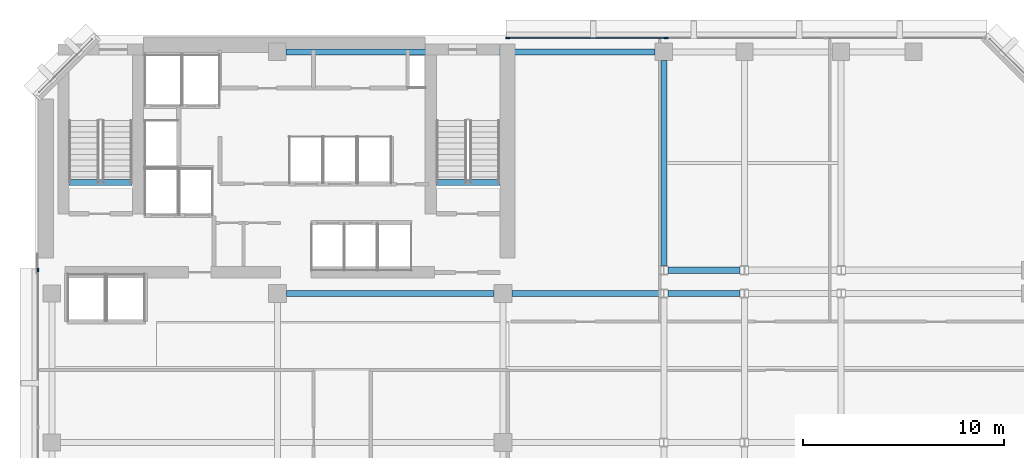
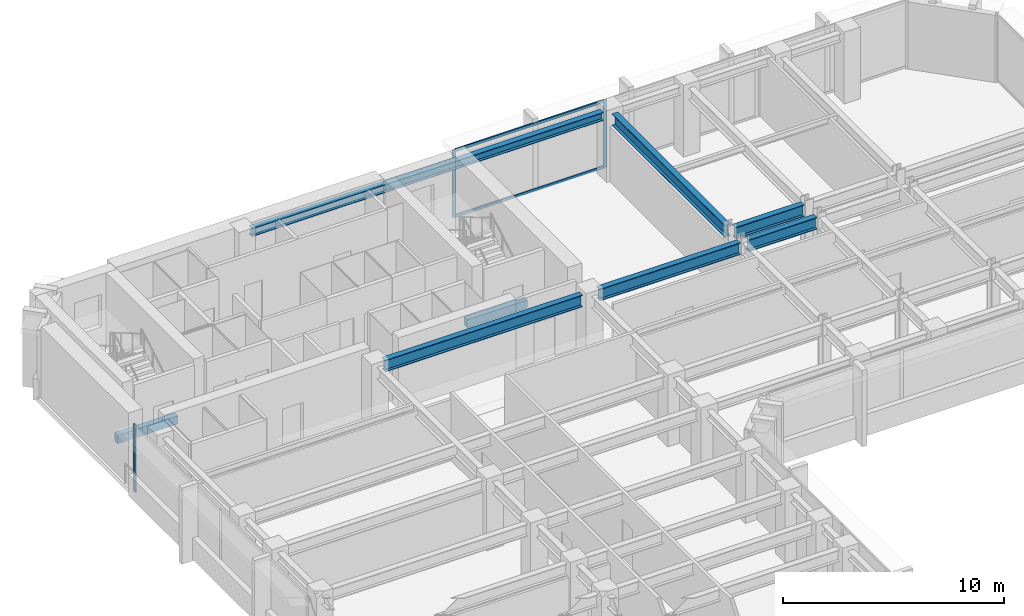
# One storey, part 4 of 11: 8 beams, 5 members, 2 elements without a shape of their own.
"""IFC4 building model written with IfcOpenShell, lengths in metres."""

from ifc_helpers import new_model, si_unit, direction, frame, origin, origin_2d, place, context, subcontext, project, spatial, rectangle, i_section, extrude, material, layer, layer_set, material_profile, profile_set, type_object, element, aggregate, save


model = new_model("IFC4")

# Units and contexts
model_context = context("Model", 3, precision=1e-05, world=origin(), true_north=direction((0.0, 1.0)))
body_context = subcontext(model_context, "Body", "Model", "MODEL_VIEW")
ifc_project = project(units=[si_unit("LENGTHUNIT", "METRE"), si_unit("AREAUNIT", "SQUARE_METRE"), si_unit("VOLUMEUNIT", "CUBIC_METRE"), si_unit("PLANEANGLEUNIT", "RADIAN"), si_unit("MASSUNIT", "GRAM", prefix="KILO")], contexts=[model_context])

# Site, building, storey
site_placement = place(None, origin())
site = spatial("IfcSite", under=ifc_project, at=site_placement, CompositionType="ELEMENT")
building_placement = place(site_placement, origin())
building = spatial("IfcBuilding", under=site, at=building_placement, Name="Kefirva Bronze Tower", CompositionType="ELEMENT")
storey_placement = place(building_placement, frame((0.0, 0.0, 162.68994140625)))
storey = spatial("IfcBuildingStorey", under=building, at=storey_placement, Name="L39", CompositionType="ELEMENT", Elevation=162.68994140625)

# Curtain wall, members
ifc_material_1 = material(Name="Bronze anodised aluminium", Category="aluminium")
ifc_layer = layer(ifc_material_1, 0.199951171875, Name="Bronze anodised aluminium")
ifc_layer_set = layer_set([ifc_layer], Name="Bronze anodised aluminium")
curtain_wall_type = type_object("IfcCurtainWallType", Name="Unitised Bronze Ribbon Curtain Wall Zone 2", PredefinedType="USERDEFINED", material=ifc_layer_set)
curtain_wall_1_placement = place(storey_placement, origin())
curtain_wall_1 = element("IfcCurtainWall", 1, at=curtain_wall_1_placement, inside=storey, type_object=curtain_wall_type, Name="L39 Curtain Wall 4", ObjectType="UNITISED CURTAIN WALL", PredefinedType="USERDEFINED")
ifc_material_profile_1 = material_profile(ifc_material_1, rectangle(XDim=0.074951171875, YDim=0.179931640625, at=origin_2d()), Name="ALU 75x180")
ifc_profile_set_1 = profile_set([ifc_material_profile_1], Name="Bronze anodised aluminium")
member_type_1 = type_object("IfcMemberType", Name="Bronze Mullion 75x180", PredefinedType="MULLION", material=ifc_profile_set_1)
member_1_placement = place(storey_placement, frame((31.318359375, 45.8798828125, 0.0), z_axis=(0.0, 0.0, 1.0), x_axis=(0.0, -1.0, 0.0)))
member_1 = element("IfcMember", 2, at=member_1_placement, type_object=member_type_1, Name="CW-02 mullion 3", PredefinedType="MULLION", context=body_context, shape_type="SweptSolid", body=[
    extrude(rectangle(XDim=0.074951171875, YDim=0.179931640625, at=origin_2d()), origin(), (0.0, 0.0, 1.0), 3.7099609375),
])
member_2_placement = place(storey_placement, frame((23.4423828125, 45.8798828125, 0.0), z_axis=(0.0, 0.0, 1.0), x_axis=(0.0, -1.0, 0.0)))
member_2 = element("IfcMember", 3, at=member_2_placement, type_object=member_type_1, Name="CW-02 mullion 4", PredefinedType="MULLION", context=body_context, shape_type="SweptSolid", body=[
    extrude(rectangle(XDim=0.074951171875, YDim=0.179931640625, at=origin_2d()), origin(), (0.0, 0.0, 1.0), 3.7099609375),
])

# Curtain wall, member
curtain_wall_2_placement = place(storey_placement, origin())
curtain_wall_2 = element("IfcCurtainWall", 4, at=curtain_wall_2_placement, inside=storey, type_object=curtain_wall_type, Name="L39 Curtain Wall 5", ObjectType="UNITISED CURTAIN WALL", PredefinedType="USERDEFINED")
member_3_placement = place(storey_placement, frame((0.1201171875, 34.357421875, 0.0), z_axis=(0.0, 0.0, 1.0), x_axis=(1.0, 0.0, 0.0)))
member_3 = element("IfcMember", 5, at=member_3_placement, type_object=member_type_1, Name="CW-02 mullion 1", PredefinedType="MULLION", context=body_context, shape_type="SweptSolid", body=[
    extrude(rectangle(XDim=0.074951171875, YDim=0.179931640625, at=origin_2d()), origin(), (0.0, 0.0, 1.0), 3.7099609375),
])
aggregate(curtain_wall_2, [member_3])

# Member
ifc_material_profile_2 = material_profile(ifc_material_1, rectangle(XDim=0.074951171875, YDim=0.14990234375, at=origin_2d()), Name="ALU 75x150")
ifc_profile_set_2 = profile_set([ifc_material_profile_2], Name="Bronze anodised aluminium")
member_type_2 = type_object("IfcMemberType", Name="Bronze Transom 75x150", PredefinedType="USERDEFINED", material=ifc_profile_set_2)
member_4_placement = place(storey_placement, frame((31.28076171875, 45.8798828125, 0.03759765625), z_axis=(-1.0, 0.0, 0.0), x_axis=(0.0, -1.0, 0.0)))
member_4 = element("IfcMember", 6, at=member_4_placement, type_object=member_type_2, Name="CW-02 transom 3.1", ObjectType="TRANSOM", PredefinedType="USERDEFINED", context=body_context, shape_type="SweptSolid", body=[
    extrude(rectangle(XDim=0.074951171875, YDim=0.14990234375, at=origin_2d()), origin(), (0.0, 0.0, 1.0), 7.80078125),
])

member_5_placement = place(storey_placement, frame((31.28076171875, 45.8798828125, 3.672607421875), z_axis=(-1.0, 0.0, 0.0), x_axis=(0.0, -1.0, 0.0)))
member_5 = element("IfcMember", 7, at=member_5_placement, type_object=member_type_2, Name="CW-02 transom 3.2", ObjectType="TRANSOM", PredefinedType="USERDEFINED", context=body_context, shape_type="SweptSolid", body=[
    extrude(rectangle(XDim=0.074951171875, YDim=0.14990234375, at=origin_2d()), origin(), (0.0, 0.0, 1.0), 7.80078125),
])

aggregate(curtain_wall_1, [member_1, member_2, member_4, member_5])

# Beams
ifc_material_2 = material(Name="Concrete C50/60", Category="concrete")
ifc_material_profile_3 = material_profile(ifc_material_2, rectangle(XDim=0.300048828125, YDim=0.449951171875, at=origin_2d()), Name="RC 300x450")
ifc_profile_set_3 = profile_set([ifc_material_profile_3], Name="Concrete C50/60")
beam_type_1 = type_object("IfcBeamType", Name="RC Stair Trimmer Beam 300x450", PredefinedType="BEAM", material=ifc_profile_set_3)
beam_1_placement = place(storey_placement, frame((1.64501953125, 38.699951171875, -0.224853515625), z_axis=(1.0, 0.0, 0.0), x_axis=(0.0, 1.0, 0.0)))
element("IfcBeam", 8, at=beam_1_placement, inside=storey, type_object=beam_type_1, Name="L39 Stair 1 Landing Trimmer Beam", PredefinedType="BEAM", context=body_context, shape_type="SweptSolid", body=[
    extrude(rectangle(XDim=0.300048828125, YDim=0.449951171875, at=origin_2d()), origin(), (0.0, 0.0, 1.0), 3.14990234375),
])
beam_2_placement = place(storey_placement, frame((19.89501953125, 38.699951171875, -0.224853515625), z_axis=(1.0, 0.0, 0.0), x_axis=(0.0, 1.0, 0.0)))
element("IfcBeam", 9, at=beam_2_placement, inside=storey, type_object=beam_type_1, Name="L39 Stair 2 Landing Trimmer Beam", PredefinedType="BEAM", context=body_context, shape_type="SweptSolid", body=[
    extrude(rectangle(XDim=0.300048828125, YDim=0.449951171875, at=origin_2d()), origin(), (0.0, 0.0, 1.0), 3.159912109375),
])
ifc_material_3 = material(Name="Steel S355", Category="steel")
ifc_material_profile_4 = material_profile(ifc_material_3, i_section(OverallWidth=0.300048828125, OverallDepth=0.64990234375, WebThickness=0.01611328125, FlangeThickness=0.031005859375, at=origin_2d()), Name="HEB 650")
ifc_profile_set_4 = profile_set([ifc_material_profile_4], Name="Steel S355")
beam_type_2 = type_object("IfcBeamType", Name="Steel Girder HEB 650", PredefinedType="USERDEFINED", material=ifc_profile_set_4)
beam_3_placement = place(storey_placement, frame((12.449951171875, 33.199951171875, 3.385009765625), z_axis=(1.0, 0.0, 0.0), x_axis=(0.0, 1.0, 0.0)))
element("IfcBeam", 10, at=beam_3_placement, inside=storey, type_object=beam_type_2, Name="L39 BM-L39-EW-12-332", ObjectType="GIRDER", PredefinedType="USERDEFINED", context=body_context, shape_type="SweptSolid", body=[
    extrude(i_section(OverallWidth=0.300048828125, OverallDepth=0.64990234375, WebThickness=0.01611328125, FlangeThickness=0.031005859375, at=origin_2d()), origin(), (0.0, 0.0, 1.0), 10.300048828125),
])
beam_4_placement = place(storey_placement, frame((23.64990234375, 33.199951171875, 3.385009765625), z_axis=(1.0, 0.0, 0.0), x_axis=(0.0, 1.0, 0.0)))
element("IfcBeam", 11, at=beam_4_placement, inside=storey, type_object=beam_type_2, Name="L39 BM-L39-EW-23-332", ObjectType="GIRDER", PredefinedType="USERDEFINED", context=body_context, shape_type="SweptSolid", body=[
    extrude(i_section(OverallWidth=0.300048828125, OverallDepth=0.64990234375, WebThickness=0.01611328125, FlangeThickness=0.031005859375, at=origin_2d()), origin(), (0.0, 0.0, 1.0), 7.341064453125),
])
for number, where, z_axis, x_axis, name in (
    (12, (31.408935546875, 33.199951171875, 3.385009765625), (1.0, 0.0, 0.0), (0.0, 1.0, 0.0), "L39 BM-L39-EW-31-332"),
    (13, (31.408935546875, 34.35009765625, 3.385009765625), (1.0, 0.0, 0.0), (0.0, 1.0, 0.0), "L39 BM-L39-EW-31-344"),
):
    element("IfcBeam", number, at=place(storey_placement, frame(where, z_axis=z_axis, x_axis=x_axis)), inside=storey, type_object=beam_type_2, Name=name, ObjectType="GIRDER", PredefinedType="USERDEFINED", context=body_context, shape_type="SweptSolid", body=[
        extrude(i_section(OverallWidth=0.300048828125, OverallDepth=0.64990234375, WebThickness=0.01611328125, FlangeThickness=0.031005859375, at=origin_2d()), origin(), (0.0, 0.0, 1.0), 3.58203125),
    ])
beam_5_placement = place(storey_placement, frame((31.199951171875, 34.577392578125, 3.385009765625), z_axis=(0.0, 1.0, 0.0), x_axis=(-1.0, 0.0, 0.0)))
element("IfcBeam", 14, at=beam_5_placement, inside=storey, type_object=beam_type_2, Name="L39 BM-L39-NS-312-34", ObjectType="GIRDER", PredefinedType="USERDEFINED", context=body_context, shape_type="SweptSolid", body=[
    extrude(i_section(OverallWidth=0.300048828125, OverallDepth=0.64990234375, WebThickness=0.01611328125, FlangeThickness=0.031005859375, at=origin_2d()), origin(), (0.0, 0.0, 1.0), 10.192626953125),
])
ifc_material_profile_5 = material_profile(ifc_material_3, i_section(OverallWidth=0.300048828125, OverallDepth=0.449951171875, WebThickness=0.013916015625, FlangeThickness=0.02587890625, at=origin_2d()), Name="HEB 450")
ifc_profile_set_5 = profile_set([ifc_material_profile_5], Name="Steel S355")
beam_type_3 = type_object("IfcBeamType", Name="Steel Spandrel HEB 450 Ext", PredefinedType="SPANDREL", material=ifc_profile_set_5)
beam_6_placement = place(storey_placement, frame((12.429931640625, 45.199951171875, 3.485107421875), z_axis=(1.0, 0.0, 0.0), x_axis=(0.0, 1.0, 0.0)))
element("IfcBeam", 15, at=beam_6_placement, inside=storey, type_object=beam_type_3, Name="L39 BM-L39-EW-12-452", PredefinedType="SPANDREL", context=body_context, shape_type="SweptSolid", body=[
    extrude(i_section(OverallWidth=0.300048828125, OverallDepth=0.449951171875, WebThickness=0.013916015625, FlangeThickness=0.02587890625, at=origin_2d()), origin(), (0.0, 0.0, 1.0), 18.340087890625),
])

save(model, "model.ifc")
